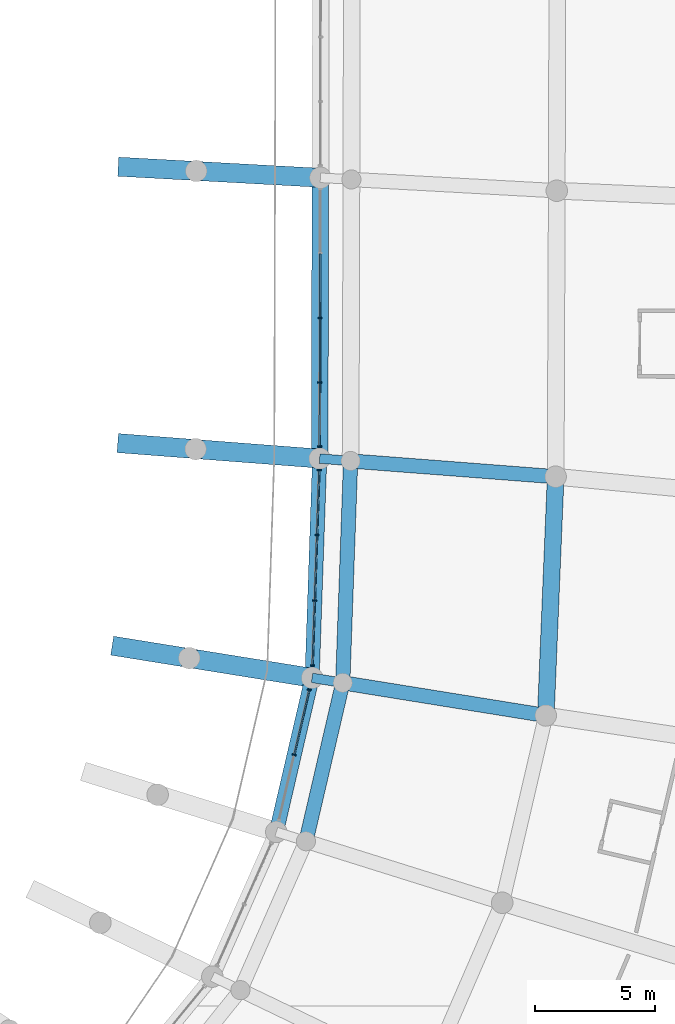
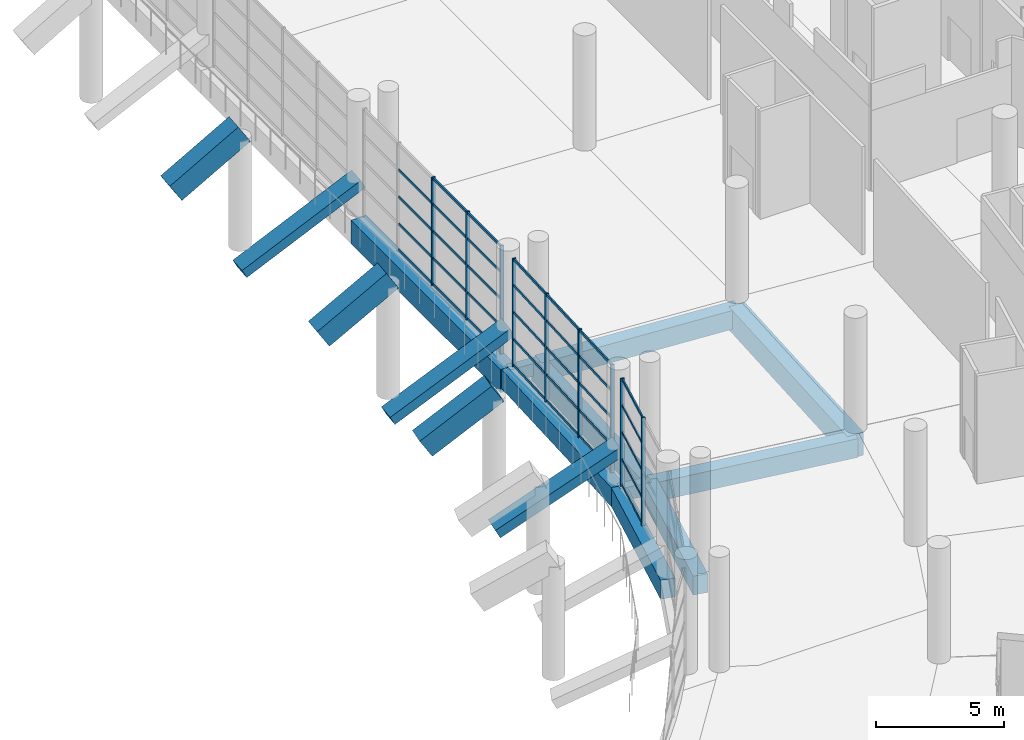
# One storey, part 54 of 271: 43 members, 16 beams, 3 elements without a shape of their own.
"""IFC4 building model written with IfcOpenShell, lengths in metres."""

from ifc_helpers import new_model, si_unit, direction, frame, origin, origin_2d, place, context, subcontext, project, spatial, rectangle, extrude, material, layer, layer_set, material_profile, profile_set, type_object, element, aggregate, save


model = new_model("IFC4")

# Units and contexts
model_context = context("Model", 3, precision=1e-05, world=origin(), true_north=direction((0.0, 1.0)))
body_context = subcontext(model_context, "Body", "Model", "MODEL_VIEW")
ifc_project = project(units=[si_unit("LENGTHUNIT", "METRE"), si_unit("AREAUNIT", "SQUARE_METRE"), si_unit("VOLUMEUNIT", "CUBIC_METRE"), si_unit("PLANEANGLEUNIT", "RADIAN"), si_unit("MASSUNIT", "GRAM", prefix="KILO")], contexts=[model_context])

# Site, building, storey
site_placement = place(None, origin())
site = spatial("IfcSite", under=ifc_project, at=site_placement, CompositionType="ELEMENT")
building_placement = place(site_placement, origin())
building = spatial("IfcBuilding", under=site, at=building_placement, Name="Meseta Stadium", CompositionType="ELEMENT")
storey_placement = place(building_placement, frame((0.0, 0.0, 6.5)))
storey = spatial("IfcBuildingStorey", under=building, at=storey_placement, Name="L01", CompositionType="ELEMENT", Elevation=6.5)

# Curtain wall, members
ifc_material_1 = material(Name="Aluminium", Category="aluminium")
ifc_layer = layer(ifc_material_1, 0.199951171875)
ifc_layer_set = layer_set([ifc_layer], Name="Club glazing curtain wall")
curtain_wall_type = type_object("IfcCurtainWallType", Name="Club glazing curtain wall", PredefinedType="NOTDEFINED", material=ifc_layer_set)
curtain_wall_1_placement = place(storey_placement, origin())
curtain_wall_1 = element("IfcCurtainWall", 1, at=curtain_wall_1_placement, inside=storey, type_object=curtain_wall_type, Name="Club glazing bay 00", PredefinedType="NOTDEFINED")
ifc_material_2 = material(Name="Aluminium", Category="aluminium")
ifc_material_profile_1 = material_profile(ifc_material_2, rectangle(XDim=0.159912109375, YDim=0.06005859375, at=origin_2d()), Name="CW 160x60")
ifc_profile_set_1 = profile_set([ifc_material_profile_1], Name="Aluminium")
member_type_1 = type_object("IfcMemberType", Name="CW mullion 60x160", PredefinedType="MULLION", material=ifc_profile_set_1)
member_1_placement = place(storey_placement, frame((63.23583984375, -49.760498046875, 0.0), z_axis=(0.0, 0.0, 1.0), x_axis=(-0.999408203812, 0.034398287063, 0.0)))
member_1 = element("IfcMember", 2, at=member_1_placement, type_object=member_type_1, Name="CWC mullion 1", PredefinedType="MULLION", context=body_context, shape_type="SweptSolid", body=[
    extrude(rectangle(XDim=0.159912109375, YDim=0.06005859375, at=origin_2d()), origin(), (0.0, 0.0, 1.0), 5.14990234375),
])
member_2_placement = place(storey_placement, frame((63.329345703125, -47.044921875, 0.0), z_axis=(0.0, 0.0, 1.0), x_axis=(-0.999408203812, 0.034398287063, 0.0)))
member_2 = element("IfcMember", 3, at=member_2_placement, type_object=member_type_1, Name="CWC mullion 2", PredefinedType="MULLION", context=body_context, shape_type="SweptSolid", body=[
    extrude(rectangle(XDim=0.159912109375, YDim=0.06005859375, at=origin_2d()), origin(), (0.0, 0.0, 1.0), 5.14990234375),
])
member_3_placement = place(storey_placement, frame((63.423828125, -44.29931640625, 0.0), z_axis=(0.0, 0.0, 1.0), x_axis=(-0.999408203812, 0.034398287063, 0.0)))
member_3 = element("IfcMember", 4, at=member_3_placement, type_object=member_type_1, Name="CWC mullion 3", PredefinedType="MULLION", context=body_context, shape_type="SweptSolid", body=[
    extrude(rectangle(XDim=0.159912109375, YDim=0.06005859375, at=origin_2d()), origin(), (0.0, 0.0, 1.0), 5.14990234375),
])
member_4_placement = place(storey_placement, frame((63.517333984375, -41.583740234375, 0.0), z_axis=(0.0, 0.0, 1.0), x_axis=(-0.999408203812, 0.034398287063, 0.0)))
member_4 = element("IfcMember", 5, at=member_4_placement, type_object=member_type_1, Name="CWC mullion 4", PredefinedType="MULLION", context=body_context, shape_type="SweptSolid", body=[
    extrude(rectangle(XDim=0.159912109375, YDim=0.06005859375, at=origin_2d()), origin(), (0.0, 0.0, 1.0), 5.14990234375),
])

curtain_wall_2_placement = place(storey_placement, origin())
curtain_wall_2 = element("IfcCurtainWall", 6, at=curtain_wall_2_placement, inside=storey, type_object=curtain_wall_type, Name="Club glazing bay 01", PredefinedType="NOTDEFINED")
member_5_placement = place(storey_placement, frame((63.53515625, -40.59423828125, 0.0), z_axis=(0.0, 0.0, 1.0), x_axis=(-0.999996195715, 0.002758360998, 0.0)))
member_5 = element("IfcMember", 7, at=member_5_placement, type_object=member_type_1, Name="CWC mullion 1", PredefinedType="MULLION", context=body_context, shape_type="SweptSolid", body=[
    extrude(rectangle(XDim=0.159912109375, YDim=0.06005859375, at=origin_2d()), origin(), (0.0, 0.0, 1.0), 5.14990234375),
])
member_6_placement = place(storey_placement, frame((63.54248046875, -37.92138671875, 0.0), z_axis=(0.0, 0.0, 1.0), x_axis=(-0.999996195715, 0.002758360998, 0.0)))
member_6 = element("IfcMember", 8, at=member_6_placement, type_object=member_type_1, Name="CWC mullion 2", PredefinedType="MULLION", context=body_context, shape_type="SweptSolid", body=[
    extrude(rectangle(XDim=0.159912109375, YDim=0.06005859375, at=origin_2d()), origin(), (0.0, 0.0, 1.0), 5.14990234375),
])
member_7_placement = place(storey_placement, frame((63.550048828125, -35.21826171875, 0.0), z_axis=(0.0, 0.0, 1.0), x_axis=(-0.999996195715, 0.002758360998, 0.0)))
member_7 = element("IfcMember", 9, at=member_7_placement, type_object=member_type_1, Name="CWC mullion 3", PredefinedType="MULLION", context=body_context, shape_type="SweptSolid", body=[
    extrude(rectangle(XDim=0.159912109375, YDim=0.06005859375, at=origin_2d()), origin(), (0.0, 0.0, 1.0), 5.14990234375),
])

curtain_wall_3_placement = place(storey_placement, origin())
curtain_wall_3 = element("IfcCurtainWall", 10, at=curtain_wall_3_placement, inside=storey, type_object=curtain_wall_type, Name="Club glazing bay 55", PredefinedType="NOTDEFINED")
member_8_placement = place(storey_placement, frame((62.470703125, -53.494140625, 0.0), z_axis=(0.0, 0.0, 1.0), x_axis=(-0.974116107399, 0.226048245529, 0.0)))
member_8 = element("IfcMember", 11, at=member_8_placement, type_object=member_type_1, Name="CWC mullion 2", PredefinedType="MULLION", context=body_context, shape_type="SweptSolid", body=[
    extrude(rectangle(XDim=0.159912109375, YDim=0.06005859375, at=origin_2d()), origin(), (0.0, 0.0, 1.0), 5.14990234375),
])
member_9_placement = place(storey_placement, frame((63.102783203125, -50.769775390625, 0.0), z_axis=(0.0, 0.0, 1.0), x_axis=(-0.974116107399, 0.226048245529, 0.0)))
member_9 = element("IfcMember", 12, at=member_9_placement, type_object=member_type_1, Name="CWC mullion 3", PredefinedType="MULLION", context=body_context, shape_type="SweptSolid", body=[
    extrude(rectangle(XDim=0.159912109375, YDim=0.06005859375, at=origin_2d()), origin(), (0.0, 0.0, 1.0), 5.14990234375),
])

# Member
ifc_material_3 = material(Name="Aluminium", Category="aluminium")
ifc_material_profile_2 = material_profile(ifc_material_3, rectangle(XDim=0.06005859375, YDim=0.1201171875, at=origin_2d()), Name="CW 60x120")
ifc_profile_set_2 = profile_set([ifc_material_profile_2], Name="Aluminium")
member_type_2 = type_object("IfcMemberType", Name="CW transom 60x120", PredefinedType="USERDEFINED", material=ifc_profile_set_2)
member_10_placement = place(storey_placement, frame((63.23681640625, -49.730712890625, 0.06005859375), z_axis=(0.034361017441, 0.999409485887, 0.0), x_axis=(-0.999409485887, 0.034361017441, 0.0)))
member_10 = element("IfcMember", 13, at=member_10_placement, type_object=member_type_2, Name="CWC transom 1.1", ObjectType="TRANSOM", PredefinedType="USERDEFINED", context=body_context, shape_type="SweptSolid", body=[
    extrude(rectangle(XDim=0.06005859375, YDim=0.1201171875, at=origin_2d()), origin(), (0.0, 0.0, 1.0), 2.6572265625),
])

member_11_placement = place(storey_placement, frame((63.23681640625, -49.730712890625, 1.28759765625), z_axis=(0.034361017441, 0.999409485887, 0.0), x_axis=(-0.999409485887, 0.034361017441, 0.0)))
member_11 = element("IfcMember", 14, at=member_11_placement, type_object=member_type_2, Name="CWC transom 1.2", ObjectType="TRANSOM", PredefinedType="USERDEFINED", context=body_context, shape_type="SweptSolid", body=[
    extrude(rectangle(XDim=0.06005859375, YDim=0.1201171875, at=origin_2d()), origin(), (0.0, 0.0, 1.0), 2.6572265625),
])

member_12_placement = place(storey_placement, frame((63.23681640625, -49.730712890625, 2.574951171875), z_axis=(0.034361017441, 0.999409485887, 0.0), x_axis=(-0.999409485887, 0.034361017441, 0.0)))
member_12 = element("IfcMember", 15, at=member_12_placement, type_object=member_type_2, Name="CWC transom 1.3", ObjectType="TRANSOM", PredefinedType="USERDEFINED", context=body_context, shape_type="SweptSolid", body=[
    extrude(rectangle(XDim=0.06005859375, YDim=0.1201171875, at=origin_2d()), origin(), (0.0, 0.0, 1.0), 2.6572265625),
])

member_13_placement = place(storey_placement, frame((63.23681640625, -49.730712890625, 3.862548828125), z_axis=(0.034361017441, 0.999409485887, 0.0), x_axis=(-0.999409485887, 0.034361017441, 0.0)))
member_13 = element("IfcMember", 16, at=member_13_placement, type_object=member_type_2, Name="CWC transom 1.4", ObjectType="TRANSOM", PredefinedType="USERDEFINED", context=body_context, shape_type="SweptSolid", body=[
    extrude(rectangle(XDim=0.06005859375, YDim=0.1201171875, at=origin_2d()), origin(), (0.0, 0.0, 1.0), 2.6572265625),
])

member_14_placement = place(storey_placement, frame((63.23681640625, -49.730712890625, 5.090087890625), z_axis=(0.034361017441, 0.999409485887, 0.0), x_axis=(-0.999409485887, 0.034361017441, 0.0)))
member_14 = element("IfcMember", 17, at=member_14_placement, type_object=member_type_2, Name="CWC transom 1.5", ObjectType="TRANSOM", PredefinedType="USERDEFINED", context=body_context, shape_type="SweptSolid", body=[
    extrude(rectangle(XDim=0.06005859375, YDim=0.1201171875, at=origin_2d()), origin(), (0.0, 0.0, 1.0), 2.6572265625),
])

member_15_placement = place(storey_placement, frame((63.330322265625, -47.014892578125, 0.06005859375), z_axis=(0.034343365002, 0.999410092645, 0.0), x_axis=(-0.999410092645, 0.034343365002, 0.0)))
member_15 = element("IfcMember", 18, at=member_15_placement, type_object=member_type_2, Name="CWC transom 2.1", ObjectType="TRANSOM", PredefinedType="USERDEFINED", context=body_context, shape_type="SweptSolid", body=[
    extrude(rectangle(XDim=0.06005859375, YDim=0.1201171875, at=origin_2d()), origin(), (0.0, 0.0, 1.0), 2.68701171875),
])

member_16_placement = place(storey_placement, frame((63.330322265625, -47.014892578125, 1.28759765625), z_axis=(0.034343365002, 0.999410092645, 0.0), x_axis=(-0.999410092645, 0.034343365002, 0.0)))
member_16 = element("IfcMember", 19, at=member_16_placement, type_object=member_type_2, Name="CWC transom 2.2", ObjectType="TRANSOM", PredefinedType="USERDEFINED", context=body_context, shape_type="SweptSolid", body=[
    extrude(rectangle(XDim=0.06005859375, YDim=0.1201171875, at=origin_2d()), origin(), (0.0, 0.0, 1.0), 2.68701171875),
])

member_17_placement = place(storey_placement, frame((63.330322265625, -47.014892578125, 2.574951171875), z_axis=(0.034343365002, 0.999410092645, 0.0), x_axis=(-0.999410092645, 0.034343365002, 0.0)))
member_17 = element("IfcMember", 20, at=member_17_placement, type_object=member_type_2, Name="CWC transom 2.3", ObjectType="TRANSOM", PredefinedType="USERDEFINED", context=body_context, shape_type="SweptSolid", body=[
    extrude(rectangle(XDim=0.06005859375, YDim=0.1201171875, at=origin_2d()), origin(), (0.0, 0.0, 1.0), 2.68701171875),
])

member_18_placement = place(storey_placement, frame((63.330322265625, -47.014892578125, 3.862548828125), z_axis=(0.034343365002, 0.999410092645, 0.0), x_axis=(-0.999410092645, 0.034343365002, 0.0)))
member_18 = element("IfcMember", 21, at=member_18_placement, type_object=member_type_2, Name="CWC transom 2.4", ObjectType="TRANSOM", PredefinedType="USERDEFINED", context=body_context, shape_type="SweptSolid", body=[
    extrude(rectangle(XDim=0.06005859375, YDim=0.1201171875, at=origin_2d()), origin(), (0.0, 0.0, 1.0), 2.68701171875),
])

member_19_placement = place(storey_placement, frame((63.330322265625, -47.014892578125, 5.090087890625), z_axis=(0.034343365002, 0.999410092645, 0.0), x_axis=(-0.999410092645, 0.034343365002, 0.0)))
member_19 = element("IfcMember", 22, at=member_19_placement, type_object=member_type_2, Name="CWC transom 2.5", ObjectType="TRANSOM", PredefinedType="USERDEFINED", context=body_context, shape_type="SweptSolid", body=[
    extrude(rectangle(XDim=0.06005859375, YDim=0.1201171875, at=origin_2d()), origin(), (0.0, 0.0, 1.0), 2.68701171875),
])

member_20_placement = place(storey_placement, frame((63.4248046875, -44.269287109375, 0.06005859375), z_axis=(0.034364172763, 0.999409377398, 0.0), x_axis=(-0.999409377398, 0.034364172763, 0.0)))
member_20 = element("IfcMember", 23, at=member_20_placement, type_object=member_type_2, Name="CWC transom 3.1", ObjectType="TRANSOM", PredefinedType="USERDEFINED", context=body_context, shape_type="SweptSolid", body=[
    extrude(rectangle(XDim=0.06005859375, YDim=0.1201171875, at=origin_2d()), origin(), (0.0, 0.0, 1.0), 2.656982421875),
])

member_21_placement = place(storey_placement, frame((63.4248046875, -44.269287109375, 1.28759765625), z_axis=(0.034364172763, 0.999409377398, 0.0), x_axis=(-0.999409377398, 0.034364172763, 0.0)))
member_21 = element("IfcMember", 24, at=member_21_placement, type_object=member_type_2, Name="CWC transom 3.2", ObjectType="TRANSOM", PredefinedType="USERDEFINED", context=body_context, shape_type="SweptSolid", body=[
    extrude(rectangle(XDim=0.06005859375, YDim=0.1201171875, at=origin_2d()), origin(), (0.0, 0.0, 1.0), 2.656982421875),
])

member_22_placement = place(storey_placement, frame((63.4248046875, -44.269287109375, 2.574951171875), z_axis=(0.034364172763, 0.999409377398, 0.0), x_axis=(-0.999409377398, 0.034364172763, 0.0)))
member_22 = element("IfcMember", 25, at=member_22_placement, type_object=member_type_2, Name="CWC transom 3.3", ObjectType="TRANSOM", PredefinedType="USERDEFINED", context=body_context, shape_type="SweptSolid", body=[
    extrude(rectangle(XDim=0.06005859375, YDim=0.1201171875, at=origin_2d()), origin(), (0.0, 0.0, 1.0), 2.656982421875),
])

member_23_placement = place(storey_placement, frame((63.4248046875, -44.269287109375, 3.862548828125), z_axis=(0.034364172763, 0.999409377398, 0.0), x_axis=(-0.999409377398, 0.034364172763, 0.0)))
member_23 = element("IfcMember", 26, at=member_23_placement, type_object=member_type_2, Name="CWC transom 3.4", ObjectType="TRANSOM", PredefinedType="USERDEFINED", context=body_context, shape_type="SweptSolid", body=[
    extrude(rectangle(XDim=0.06005859375, YDim=0.1201171875, at=origin_2d()), origin(), (0.0, 0.0, 1.0), 2.656982421875),
])

member_24_placement = place(storey_placement, frame((63.4248046875, -44.269287109375, 5.090087890625), z_axis=(0.034364172763, 0.999409377398, 0.0), x_axis=(-0.999409377398, 0.034364172763, 0.0)))
member_24 = element("IfcMember", 27, at=member_24_placement, type_object=member_type_2, Name="CWC transom 3.5", ObjectType="TRANSOM", PredefinedType="USERDEFINED", context=body_context, shape_type="SweptSolid", body=[
    extrude(rectangle(XDim=0.06005859375, YDim=0.1201171875, at=origin_2d()), origin(), (0.0, 0.0, 1.0), 2.656982421875),
])

aggregate(curtain_wall_1, [member_1, member_2, member_3, member_4, member_10, member_11, member_12, member_13, member_14, member_15, member_16, member_17, member_18, member_19, member_20, member_21, member_22, member_23, member_24])

member_25_placement = place(storey_placement, frame((63.53515625, -40.564453125, 0.06005859375), z_axis=(0.002802941433, 0.999996071752, 0.0), x_axis=(-0.999996071752, 0.002802941433, 0.0)))
member_25 = element("IfcMember", 28, at=member_25_placement, type_object=member_type_2, Name="CWC transom 1.1", ObjectType="TRANSOM", PredefinedType="USERDEFINED", context=body_context, shape_type="SweptSolid", body=[
    extrude(rectangle(XDim=0.06005859375, YDim=0.1201171875, at=origin_2d()), origin(), (0.0, 0.0, 1.0), 2.613037109375),
])

member_26_placement = place(storey_placement, frame((63.53515625, -40.564453125, 1.28759765625), z_axis=(0.002802941433, 0.999996071752, 0.0), x_axis=(-0.999996071752, 0.002802941433, 0.0)))
member_26 = element("IfcMember", 29, at=member_26_placement, type_object=member_type_2, Name="CWC transom 1.2", ObjectType="TRANSOM", PredefinedType="USERDEFINED", context=body_context, shape_type="SweptSolid", body=[
    extrude(rectangle(XDim=0.06005859375, YDim=0.1201171875, at=origin_2d()), origin(), (0.0, 0.0, 1.0), 2.613037109375),
])

member_27_placement = place(storey_placement, frame((63.53515625, -40.564453125, 2.574951171875), z_axis=(0.002802941433, 0.999996071752, 0.0), x_axis=(-0.999996071752, 0.002802941433, 0.0)))
member_27 = element("IfcMember", 30, at=member_27_placement, type_object=member_type_2, Name="CWC transom 1.3", ObjectType="TRANSOM", PredefinedType="USERDEFINED", context=body_context, shape_type="SweptSolid", body=[
    extrude(rectangle(XDim=0.06005859375, YDim=0.1201171875, at=origin_2d()), origin(), (0.0, 0.0, 1.0), 2.613037109375),
])

member_28_placement = place(storey_placement, frame((63.53515625, -40.564453125, 3.862548828125), z_axis=(0.002802941433, 0.999996071752, 0.0), x_axis=(-0.999996071752, 0.002802941433, 0.0)))
member_28 = element("IfcMember", 31, at=member_28_placement, type_object=member_type_2, Name="CWC transom 1.4", ObjectType="TRANSOM", PredefinedType="USERDEFINED", context=body_context, shape_type="SweptSolid", body=[
    extrude(rectangle(XDim=0.06005859375, YDim=0.1201171875, at=origin_2d()), origin(), (0.0, 0.0, 1.0), 2.613037109375),
])

member_29_placement = place(storey_placement, frame((63.53515625, -40.564453125, 5.090087890625), z_axis=(0.002802941433, 0.999996071752, 0.0), x_axis=(-0.999996071752, 0.002802941433, 0.0)))
member_29 = element("IfcMember", 32, at=member_29_placement, type_object=member_type_2, Name="CWC transom 1.5", ObjectType="TRANSOM", PredefinedType="USERDEFINED", context=body_context, shape_type="SweptSolid", body=[
    extrude(rectangle(XDim=0.06005859375, YDim=0.1201171875, at=origin_2d()), origin(), (0.0, 0.0, 1.0), 2.613037109375),
])

member_30_placement = place(storey_placement, frame((63.54248046875, -37.891357421875, 0.06005859375), z_axis=(0.002771095956, 0.999996160506, 0.0), x_axis=(-0.999996160506, 0.002771095956, 0.0)))
member_30 = element("IfcMember", 33, at=member_30_placement, type_object=member_type_2, Name="CWC transom 2.1", ObjectType="TRANSOM", PredefinedType="USERDEFINED", context=body_context, shape_type="SweptSolid", body=[
    extrude(rectangle(XDim=0.06005859375, YDim=0.1201171875, at=origin_2d()), origin(), (0.0, 0.0, 1.0), 2.64306640625),
])

member_31_placement = place(storey_placement, frame((63.54248046875, -37.891357421875, 1.28759765625), z_axis=(0.002771095956, 0.999996160506, 0.0), x_axis=(-0.999996160506, 0.002771095956, 0.0)))
member_31 = element("IfcMember", 34, at=member_31_placement, type_object=member_type_2, Name="CWC transom 2.2", ObjectType="TRANSOM", PredefinedType="USERDEFINED", context=body_context, shape_type="SweptSolid", body=[
    extrude(rectangle(XDim=0.06005859375, YDim=0.1201171875, at=origin_2d()), origin(), (0.0, 0.0, 1.0), 2.64306640625),
])

member_32_placement = place(storey_placement, frame((63.54248046875, -37.891357421875, 2.574951171875), z_axis=(0.002771095956, 0.999996160506, 0.0), x_axis=(-0.999996160506, 0.002771095956, 0.0)))
member_32 = element("IfcMember", 35, at=member_32_placement, type_object=member_type_2, Name="CWC transom 2.3", ObjectType="TRANSOM", PredefinedType="USERDEFINED", context=body_context, shape_type="SweptSolid", body=[
    extrude(rectangle(XDim=0.06005859375, YDim=0.1201171875, at=origin_2d()), origin(), (0.0, 0.0, 1.0), 2.64306640625),
])

member_33_placement = place(storey_placement, frame((63.54248046875, -37.891357421875, 3.862548828125), z_axis=(0.002771095956, 0.999996160506, 0.0), x_axis=(-0.999996160506, 0.002771095956, 0.0)))
member_33 = element("IfcMember", 36, at=member_33_placement, type_object=member_type_2, Name="CWC transom 2.4", ObjectType="TRANSOM", PredefinedType="USERDEFINED", context=body_context, shape_type="SweptSolid", body=[
    extrude(rectangle(XDim=0.06005859375, YDim=0.1201171875, at=origin_2d()), origin(), (0.0, 0.0, 1.0), 2.64306640625),
])

member_34_placement = place(storey_placement, frame((63.54248046875, -37.891357421875, 5.090087890625), z_axis=(0.002771095956, 0.999996160506, 0.0), x_axis=(-0.999996160506, 0.002771095956, 0.0)))
member_34 = element("IfcMember", 37, at=member_34_placement, type_object=member_type_2, Name="CWC transom 2.5", ObjectType="TRANSOM", PredefinedType="USERDEFINED", context=body_context, shape_type="SweptSolid", body=[
    extrude(rectangle(XDim=0.06005859375, YDim=0.1201171875, at=origin_2d()), origin(), (0.0, 0.0, 1.0), 2.64306640625),
])

member_35_placement = place(storey_placement, frame((63.550048828125, -35.188232421875, 0.06005859375), z_axis=(0.002771095956, 0.999996160506, 0.0), x_axis=(-0.999996160506, 0.002771095956, 0.0)))
member_35 = element("IfcMember", 38, at=member_35_placement, type_object=member_type_2, Name="CWC transom 3.1", ObjectType="TRANSOM", PredefinedType="USERDEFINED", context=body_context, shape_type="SweptSolid", body=[
    extrude(rectangle(XDim=0.06005859375, YDim=0.1201171875, at=origin_2d()), origin(), (0.0, 0.0, 1.0), 2.64306640625),
])

member_36_placement = place(storey_placement, frame((63.550048828125, -35.188232421875, 1.28759765625), z_axis=(0.002771095956, 0.999996160506, 0.0), x_axis=(-0.999996160506, 0.002771095956, 0.0)))
member_36 = element("IfcMember", 39, at=member_36_placement, type_object=member_type_2, Name="CWC transom 3.2", ObjectType="TRANSOM", PredefinedType="USERDEFINED", context=body_context, shape_type="SweptSolid", body=[
    extrude(rectangle(XDim=0.06005859375, YDim=0.1201171875, at=origin_2d()), origin(), (0.0, 0.0, 1.0), 2.64306640625),
])

member_37_placement = place(storey_placement, frame((63.550048828125, -35.188232421875, 2.574951171875), z_axis=(0.002771095956, 0.999996160506, 0.0), x_axis=(-0.999996160506, 0.002771095956, 0.0)))
member_37 = element("IfcMember", 40, at=member_37_placement, type_object=member_type_2, Name="CWC transom 3.3", ObjectType="TRANSOM", PredefinedType="USERDEFINED", context=body_context, shape_type="SweptSolid", body=[
    extrude(rectangle(XDim=0.06005859375, YDim=0.1201171875, at=origin_2d()), origin(), (0.0, 0.0, 1.0), 2.64306640625),
])

member_38_placement = place(storey_placement, frame((63.550048828125, -35.188232421875, 3.862548828125), z_axis=(0.002771095956, 0.999996160506, 0.0), x_axis=(-0.999996160506, 0.002771095956, 0.0)))
member_38 = element("IfcMember", 41, at=member_38_placement, type_object=member_type_2, Name="CWC transom 3.4", ObjectType="TRANSOM", PredefinedType="USERDEFINED", context=body_context, shape_type="SweptSolid", body=[
    extrude(rectangle(XDim=0.06005859375, YDim=0.1201171875, at=origin_2d()), origin(), (0.0, 0.0, 1.0), 2.64306640625),
])

aggregate(curtain_wall_2, [member_5, member_6, member_7, member_25, member_26, member_27, member_28, member_29, member_30, member_31, member_32, member_33, member_34, member_35, member_36, member_37, member_38])

member_39_placement = place(storey_placement, frame((62.4775390625, -53.46484375, 0.06005859375), z_axis=(0.226064707023, 0.974112287285, 0.0), x_axis=(-0.974112287285, 0.226064707023, 0.0)))
member_39 = element("IfcMember", 42, at=member_39_placement, type_object=member_type_2, Name="CWC transom 2.1", ObjectType="TRANSOM", PredefinedType="USERDEFINED", context=body_context, shape_type="SweptSolid", body=[
    extrude(rectangle(XDim=0.06005859375, YDim=0.1201171875, at=origin_2d()), origin(), (0.0, 0.0, 1.0), 2.736572265625),
])

member_40_placement = place(storey_placement, frame((62.4775390625, -53.46484375, 1.28759765625), z_axis=(0.226064707023, 0.974112287285, 0.0), x_axis=(-0.974112287285, 0.226064707023, 0.0)))
member_40 = element("IfcMember", 43, at=member_40_placement, type_object=member_type_2, Name="CWC transom 2.2", ObjectType="TRANSOM", PredefinedType="USERDEFINED", context=body_context, shape_type="SweptSolid", body=[
    extrude(rectangle(XDim=0.06005859375, YDim=0.1201171875, at=origin_2d()), origin(), (0.0, 0.0, 1.0), 2.736572265625),
])

member_41_placement = place(storey_placement, frame((62.4775390625, -53.46484375, 2.574951171875), z_axis=(0.226064707023, 0.974112287285, 0.0), x_axis=(-0.974112287285, 0.226064707023, 0.0)))
member_41 = element("IfcMember", 44, at=member_41_placement, type_object=member_type_2, Name="CWC transom 2.3", ObjectType="TRANSOM", PredefinedType="USERDEFINED", context=body_context, shape_type="SweptSolid", body=[
    extrude(rectangle(XDim=0.06005859375, YDim=0.1201171875, at=origin_2d()), origin(), (0.0, 0.0, 1.0), 2.736572265625),
])

member_42_placement = place(storey_placement, frame((62.4775390625, -53.46484375, 3.862548828125), z_axis=(0.226064707023, 0.974112287285, 0.0), x_axis=(-0.974112287285, 0.226064707023, 0.0)))
member_42 = element("IfcMember", 45, at=member_42_placement, type_object=member_type_2, Name="CWC transom 2.4", ObjectType="TRANSOM", PredefinedType="USERDEFINED", context=body_context, shape_type="SweptSolid", body=[
    extrude(rectangle(XDim=0.06005859375, YDim=0.1201171875, at=origin_2d()), origin(), (0.0, 0.0, 1.0), 2.736572265625),
])

member_43_placement = place(storey_placement, frame((62.4775390625, -53.46484375, 5.090087890625), z_axis=(0.226064707023, 0.974112287285, 0.0), x_axis=(-0.974112287285, 0.226064707023, 0.0)))
member_43 = element("IfcMember", 46, at=member_43_placement, type_object=member_type_2, Name="CWC transom 2.5", ObjectType="TRANSOM", PredefinedType="USERDEFINED", context=body_context, shape_type="SweptSolid", body=[
    extrude(rectangle(XDim=0.06005859375, YDim=0.1201171875, at=origin_2d()), origin(), (0.0, 0.0, 1.0), 2.736572265625),
])

aggregate(curtain_wall_3, [member_8, member_9, member_39, member_40, member_41, member_42, member_43])

# Beams
ifc_material_4 = material(Name="Concrete C40/50", Category="concrete")
ifc_material_profile_3 = material_profile(ifc_material_4, rectangle(XDim=0.39990234375, YDim=0.60009765625, at=origin_2d()), Name="RC 400x600")
ifc_profile_set_3 = profile_set([ifc_material_profile_3], Name="Concrete C40/50")
beam_type_1 = type_object("IfcBeamType", Name="RC beam 400x600", PredefinedType="BEAM", material=ifc_profile_set_3)
for number, where, z_axis, x_axis, name in (
    (47, (63.21826171875, -50.27294921875, -0.64990234375), (0.98726777227, -0.159067111111, 0.0), (0.159067111111, 0.98726777227, 0.0), "L01 radial beam frame 0 line C to D"),
    (48, (63.53369140625, -41.1044921875, -0.64990234375), (0.99706000661, -0.076624690657, 0.0), (0.076624690657, 0.99706000661, 0.0), "L01 radial beam frame 1 line C to D"),
):
    element("IfcBeam", number, at=place(storey_placement, frame(where, z_axis=z_axis, x_axis=x_axis)), inside=storey, type_object=beam_type_1, Name=name, PredefinedType="BEAM", context=body_context, shape_type="SweptSolid", body=[
        extrude(rectangle(XDim=0.39990234375, YDim=0.60009765625, at=origin_2d()), origin(), (0.0, 0.0, 1.0), 1.300048828125),
    ])
ifc_material_5 = material(Name="Concrete C40/50", Category="concrete")
ifc_material_profile_4 = material_profile(ifc_material_5, rectangle(XDim=0.60009765625, YDim=0.89990234375, at=origin_2d()), Name="RC 600x900")
ifc_profile_set_4 = profile_set([ifc_material_profile_4], Name="Concrete C40/50")
beam_type_2 = type_object("IfcBeamType", Name="RC beam 600x900", PredefinedType="BEAM", material=ifc_profile_set_4)
beam_1_placement = place(storey_placement, frame((63.21826171875, -50.27294921875, -0.800048828125), z_axis=(0.034383449406, 0.999408714394, 0.0), x_axis=(-0.999408714394, 0.034383449406, 0.0)))
element("IfcBeam", 49, at=beam_1_placement, inside=storey, type_object=beam_type_2, Name="L01 ring beam frame 0 line C", PredefinedType="BEAM", context=body_context, shape_type="SweptSolid", body=[
    extrude(rectangle(XDim=0.60009765625, YDim=0.89990234375, at=origin_2d()), origin(), (0.0, 0.0, 1.0), 9.173828125),
])
beam_2_placement = place(storey_placement, frame((64.501708984375, -50.479736328125, -0.800048828125), z_axis=(0.035352824386, 0.999374893525, 0.0), x_axis=(-0.999374893525, 0.035352824386, 0.0)))
element("IfcBeam", 50, at=beam_2_placement, inside=storey, type_object=beam_type_2, Name="L01 ring beam frame 0 line D", PredefinedType="BEAM", context=body_context, shape_type="SweptSolid", body=[
    extrude(rectangle(XDim=0.60009765625, YDim=0.89990234375, at=origin_2d()), origin(), (0.0, 0.0, 1.0), 9.281494140625),
])
beam_3_placement = place(storey_placement, frame((61.72314453125, -56.715576171875, -0.800048828125), z_axis=(0.226059029022, 0.974113604975, 0.0), x_axis=(-0.974113604975, 0.226059029022, 0.0)))
element("IfcBeam", 51, at=beam_3_placement, inside=storey, type_object=beam_type_2, Name="L01 ring beam frame 55 line C", PredefinedType="BEAM", context=body_context, shape_type="SweptSolid", body=[
    extrude(rectangle(XDim=0.60009765625, YDim=0.89990234375, at=origin_2d()), origin(), (0.0, 0.0, 1.0), 6.61376953125),
])
beam_4_placement = place(storey_placement, frame((62.963623046875, -57.1044921875, -0.800048828125), z_axis=(0.226157078617, 0.974090845759, 0.0), x_axis=(-0.974090845759, 0.226157078617, 0.0)))
element("IfcBeam", 52, at=beam_4_placement, inside=storey, type_object=beam_type_2, Name="L01 ring beam frame 55 line D", PredefinedType="BEAM", context=body_context, shape_type="SweptSolid", body=[
    extrude(rectangle(XDim=0.60009765625, YDim=0.89990234375, at=origin_2d()), origin(), (0.0, 0.0, 1.0), 6.801025390625),
])
beam_5_placement = place(storey_placement, frame((64.501708984375, -50.479736328125, -0.800048828125), z_axis=(0.987277660392, -0.159005727229, 0.0), x_axis=(0.159005727229, 0.987277660392, 0.0)))
element("IfcBeam", 53, at=beam_5_placement, inside=storey, type_object=beam_type_2, Name="L01 radial beam frame 0 line D to E", PredefinedType="BEAM", context=body_context, shape_type="SweptSolid", body=[
    extrude(rectangle(XDim=0.60009765625, YDim=0.89990234375, at=origin_2d()), origin(), (0.0, 0.0, 1.0), 8.599853515625),
])
beam_6_placement = place(storey_placement, frame((64.829833984375, -41.2041015625, -0.800048828125), z_axis=(0.997066996267, -0.076533685105, 0.0), x_axis=(0.076533685105, 0.997066996267, 0.0)))
element("IfcBeam", 54, at=beam_6_placement, inside=storey, type_object=beam_type_2, Name="L01 radial beam frame 1 line D to E", PredefinedType="BEAM", context=body_context, shape_type="SweptSolid", body=[
    extrude(rectangle(XDim=0.60009765625, YDim=0.89990234375, at=origin_2d()), origin(), (0.0, 0.0, 1.0), 8.60009765625),
])
ifc_material_6 = material(Name="Concrete C40/50", Category="concrete")
ifc_material_profile_5 = material_profile(ifc_material_6, rectangle(XDim=0.699951171875, YDim=1.10009765625, at=origin_2d()), Name="RC 700x1100")
ifc_profile_set_5 = profile_set([ifc_material_profile_5], Name="Concrete C40/50")
beam_type_3 = type_object("IfcBeamType", Name="RC beam 700x1100", PredefinedType="BEAM", material=ifc_profile_set_5)
beam_7_placement = place(storey_placement, frame((72.9921875, -51.84716796875, -0.89990234375), z_axis=(0.041287079546, 0.999147325004, 0.0), x_axis=(-0.999147325004, 0.041287079546, 0.0)))
element("IfcBeam", 55, at=beam_7_placement, inside=storey, type_object=beam_type_3, Name="L01 ring beam frame 0 line E", PredefinedType="BEAM", context=body_context, shape_type="SweptSolid", body=[
    extrude(rectangle(XDim=0.699951171875, YDim=1.10009765625, at=origin_2d()), origin(), (0.0, 0.0, 1.0), 9.993408203125),
])
beam_8_placement = place(storey_placement, frame((63.53369140625, -41.1044921875, -0.89990234375), z_axis=(0.002765292155, 0.999996176572, 0.0), x_axis=(-0.999996176572, 0.002765292155, 0.0)))
element("IfcBeam", 56, at=beam_8_placement, inside=storey, type_object=beam_type_3, Name="L01 ring beam frame 1 line C", PredefinedType="BEAM", context=body_context, shape_type="SweptSolid", body=[
    extrude(rectangle(XDim=0.699951171875, YDim=1.10009765625, at=origin_2d()), origin(), (0.0, 0.0, 1.0), 11.7421875),
])
ifc_material_7 = material(Name="Concrete C40/50", Category="concrete")
ifc_material_profile_6 = material_profile(ifc_material_7, rectangle(XDim=0.800048828125, YDim=0.449951171875, at=origin_2d()), Name="RC 800x450")
ifc_profile_set_6 = profile_set([ifc_material_profile_6], Name="Concrete C40/50")
beam_type_4 = type_object("IfcBeamType", Name="RC raker lower 800x450", PredefinedType="USERDEFINED", material=ifc_profile_set_6)
beam_9_placement = place(storey_placement, frame((58.084228515625, -49.4462890625, -1.083251953125), z_axis=(0.879673184359, -0.141641228886, 0.453996531925), x_axis=(0.158968215879, 0.98728370104, 0.0)))
element("IfcBeam", 57, at=beam_9_placement, inside=storey, type_object=beam_type_4, Name="Raker lower frame 0 lower tier", ObjectType="RAKER", PredefinedType="USERDEFINED", context=body_context, shape_type="SweptSolid", body=[
    extrude(rectangle(XDim=0.800048828125, YDim=0.449951171875, at=origin_2d()), origin(), (0.0, 0.0, 1.0), 5.836181640625),
])
beam_10_placement = place(storey_placement, frame((58.34912109375, -40.70654296875, -1.083740234375), z_axis=(0.888226455313, -0.068177110669, 0.454318881033), x_axis=(0.076531338178, 0.997067176411, 0.0)))
element("IfcBeam", 58, at=beam_10_placement, inside=storey, type_object=beam_type_4, Name="Raker lower frame 1 lower tier", ObjectType="RAKER", PredefinedType="USERDEFINED", context=body_context, shape_type="SweptSolid", body=[
    extrude(rectangle(XDim=0.800048828125, YDim=0.449951171875, at=origin_2d()), origin(), (0.0, 0.0, 1.0), 5.8369140625),
])
beam_11_placement = place(storey_placement, frame((58.373779296875, -29.077392578125, -1.146240234375), z_axis=(0.889514236791, -0.048808685083, 0.454293005456), x_axis=(0.054788749724, 0.998497968402, 0.0)))
element("IfcBeam", 59, at=beam_11_placement, inside=storey, type_object=beam_type_4, Name="Raker lower frame 2 lower tier", ObjectType="RAKER", PredefinedType="USERDEFINED", context=body_context, shape_type="SweptSolid", body=[
    extrude(rectangle(XDim=0.800048828125, YDim=0.449951171875, at=origin_2d()), origin(), (0.0, 0.0, 1.0), 5.83740234375),
])
ifc_material_8 = material(Name="Concrete C40/50", Category="concrete")
ifc_material_profile_7 = material_profile(ifc_material_8, rectangle(XDim=0.800048828125, YDim=1.0, at=origin_2d()), Name="RC 800x1000")
ifc_profile_set_7 = profile_set([ifc_material_profile_7], Name="Concrete C40/50")
beam_type_5 = type_object("IfcBeamType", Name="RC raker upper front 800x1000", PredefinedType="USERDEFINED", material=ifc_profile_set_7)
beam_12_placement = place(storey_placement, frame((55.12255859375, -48.96923828125, 3.73779296875), z_axis=(0.837409269192, -0.134885641085, 0.529671199614), x_axis=(0.1590251774, 0.987274527653, 0.0)))
element("IfcBeam", 60, at=beam_12_placement, inside=storey, type_object=beam_type_5, Name="Raker upper front frame 0 upper tier", ObjectType="RAKER", PredefinedType="USERDEFINED", context=body_context, shape_type="SweptSolid", body=[
    extrude(rectangle(XDim=0.800048828125, YDim=1.0, at=origin_2d()), origin(), (0.0, 0.0, 1.0), 3.53662109375),
])
for number, where, z_axis, x_axis, name in (
    (61, (55.35791015625, -40.47705078125, 3.728515625), (0.845544536475, -0.064872009818, 0.52994910999), (0.076497355304, 0.997069784234, 0.0), "Raker upper front frame 1 upper tier"),
    (62, (55.37841796875, -28.913330078125, 3.651611328125), (0.846717350403, -0.046376563654, 0.530017870331), (0.054690216379, 0.998503370166, 0.0), "Raker upper front frame 2 upper tier"),
):
    element("IfcBeam", number, at=place(storey_placement, frame(where, z_axis=z_axis, x_axis=x_axis)), inside=storey, type_object=beam_type_5, Name=name, ObjectType="RAKER", PredefinedType="USERDEFINED", context=body_context, shape_type="SweptSolid", body=[
        extrude(rectangle(XDim=0.800048828125, YDim=1.0, at=origin_2d()), origin(), (0.0, 0.0, 1.0), 3.53759765625),
    ])

save(model, "model.ifc")
